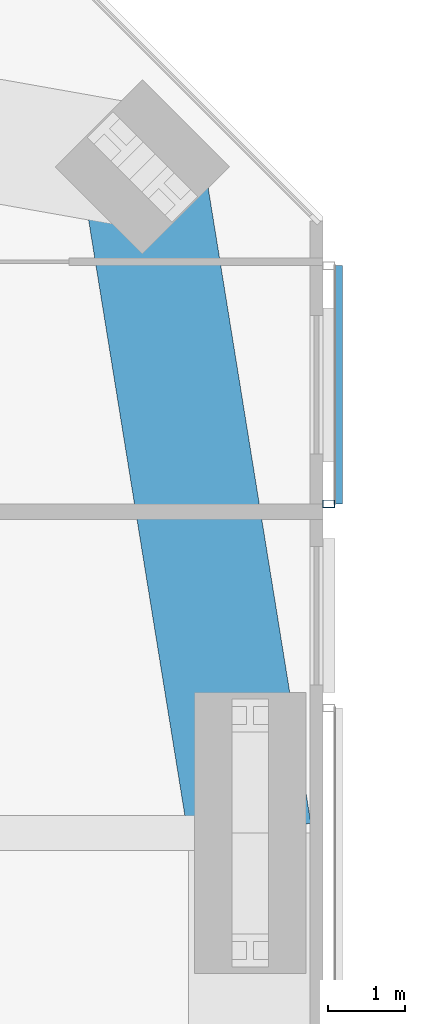
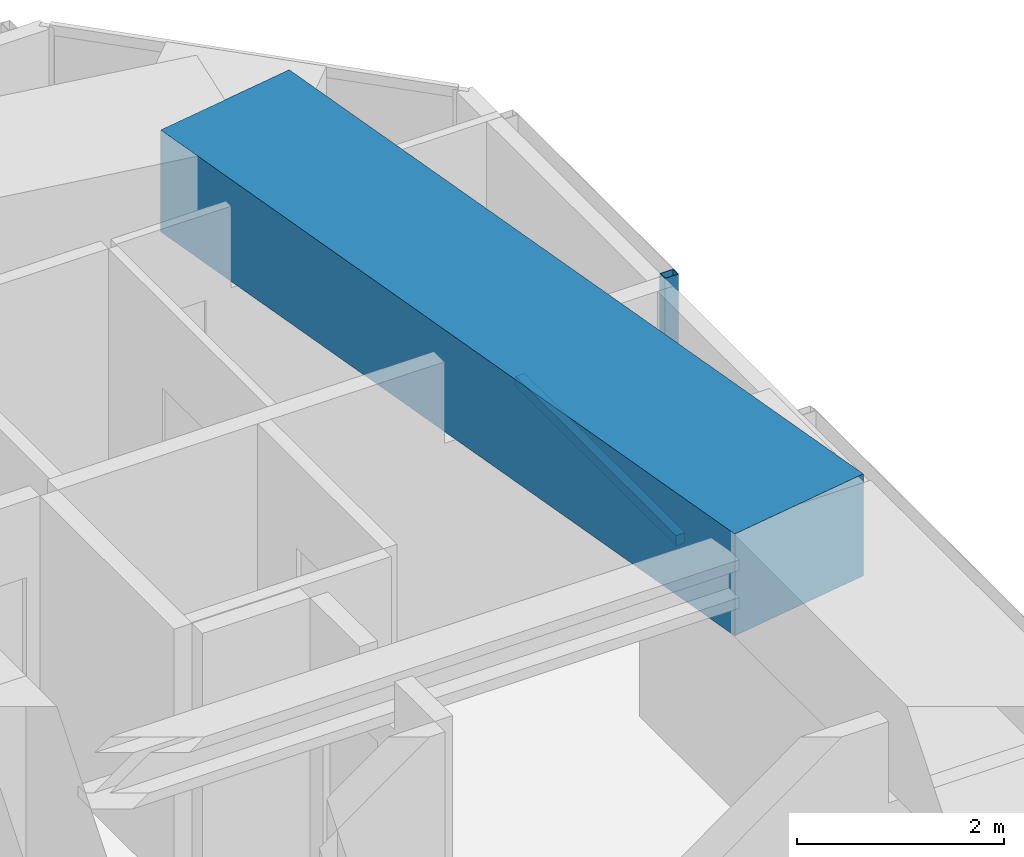
# One storey, part 10 of 23: 2 members, 1 beam, 1 element without a shape of its own.
"""IFC4 building model written with IfcOpenShell, lengths in metres."""

from ifc_helpers import new_model, si_unit, direction, frame, origin, origin_2d, place, context, subcontext, project, spatial, rectangle, hollow_rectangle, extrude, material, material_profile, profile_set, type_object, element, aggregate, save


model = new_model("IFC4")

# Units and contexts
model_context = context("Model", 3, precision=1e-05, world=origin(), true_north=direction((0.0, 1.0)))
body_context = subcontext(model_context, "Body", "Model", "MODEL_VIEW")
ifc_project = project(units=[si_unit("LENGTHUNIT", "METRE"), si_unit("AREAUNIT", "SQUARE_METRE"), si_unit("VOLUMEUNIT", "CUBIC_METRE"), si_unit("PLANEANGLEUNIT", "RADIAN"), si_unit("MASSUNIT", "GRAM", prefix="KILO")], contexts=[model_context])

# Site, building, storey
site_placement = place(None, origin())
site = spatial("IfcSite", under=ifc_project, at=site_placement, CompositionType="ELEMENT")
building_placement = place(site_placement, origin())
building = spatial("IfcBuilding", under=site, at=building_placement, Name="Jalousie Tower", CompositionType="ELEMENT")
storey_placement = place(building_placement, frame((0.0, 0.0, 187.85009765625)))
storey = spatial("IfcBuildingStorey", under=building, at=storey_placement, Name="L51", CompositionType="ELEMENT", Elevation=187.85009765625)

# Beam
ifc_material_1 = material(Name="Concrete f'c 40 MPa", Category="concrete")
ifc_material_profile_1 = material_profile(ifc_material_1, rectangle(XDim=1.60009765625, YDim=1.199951171875, at=origin_2d()), Name="RC 1600x1200")
ifc_profile_set_1 = profile_set([ifc_material_profile_1], Name="Concrete f'c 40 MPa")
beam_type = type_object("IfcBeamType", Name="RC BEAM 1600x1200", PredefinedType="BEAM", material=ifc_profile_set_1)
beam_placement = place(storey_placement, frame((52.050048828125, 25.0, 2.75), z_axis=(-0.159567878256, 0.987186959106, 0.0), x_axis=(-0.987186959106, -0.159567878256, 0.0)))
element("IfcBeam", 1, at=beam_placement, inside=storey, type_object=beam_type, Name="Edge band beam 07-08 under L52", PredefinedType="BEAM", context=body_context, shape_type="SweptSolid", body=[
    extrude(rectangle(XDim=1.60009765625, YDim=1.199951171875, at=origin_2d()), origin(), (0.0, 0.0, 1.0), 8.763916015625),
])

# Curtain wall, members
ifc_material_2 = material(Name="Perforated aluminium sheet", Category="aluminium")
curtain_wall_type = type_object("IfcCurtainWallType", Name="SOLAR SCREEN SS-1", PredefinedType="USERDEFINED", material=ifc_material_2)
curtain_wall_placement = place(storey_placement, origin())
curtain_wall = element("IfcCurtainWall", 2, at=curtain_wall_placement, inside=storey, type_object=curtain_wall_type, Name="Solar screen L51", ObjectType="SOLAR SCREEN SS-1", PredefinedType="USERDEFINED")
ifc_material_3 = material(Name="Steel ASTM A500 Grade C", Category="steel")
ifc_material_profile_2 = material_profile(ifc_material_3, hollow_rectangle(XDim=0.1015625, YDim=0.15234375, WallThickness=0.00634765625, at=origin_2d()), Name="HSS6X4X1/4")
ifc_profile_set_2 = profile_set([ifc_material_profile_2], Name="Steel ASTM A500 Grade C")
member_type_1 = type_object("IfcMemberType", Name="SOLAR SCREEN SS-1 MULLION", PredefinedType="MULLION", material=ifc_profile_set_2)
member_1_placement = place(storey_placement, frame((53.0712890625, 29.27490234375, -0.1201171875), z_axis=(0.0, 0.0, 1.0), x_axis=(0.0, 1.0, 0.0)))
member_1 = element("IfcMember", 3, at=member_1_placement, type_object=member_type_1, Name="SS1 post 1", PredefinedType="MULLION", context=body_context, shape_type="SweptSolid", body=[
    extrude(hollow_rectangle(XDim=0.1015625, YDim=0.15234375, WallThickness=0.00634765625, at=origin_2d()), origin(), (0.0, 0.0, 1.0), 3.22998046875),
])
ifc_material_4 = material(Name="Extruded aluminium screen rail", Category="aluminium")
ifc_material_profile_3 = material_profile(ifc_material_4, rectangle(XDim=0.1015625, YDim=0.1201171875, at=origin_2d()), Name="RAIL 102x120")
ifc_profile_set_3 = profile_set([ifc_material_profile_3], Name="Extruded aluminium screen rail")
member_type_2 = type_object("IfcMemberType", Name="SOLAR SCREEN SS-1 TRANSOM", PredefinedType="USERDEFINED", material=ifc_profile_set_3)
member_2_placement = place(storey_placement, frame((53.1982421875, 29.27490234375, -0.06005859375), z_axis=(0.0, 1.0, 0.0), x_axis=(-1.0, 0.0, 0.0)))
member_2 = element("IfcMember", 4, at=member_2_placement, type_object=member_type_2, Name="SS1 rail", ObjectType="TRANSOM", PredefinedType="USERDEFINED", context=body_context, shape_type="SweptSolid", body=[
    extrude(rectangle(XDim=0.1015625, YDim=0.1201171875, at=origin_2d()), origin(), (0.0, 0.0, 1.0), 3.09521484375),
])
aggregate(curtain_wall, [member_1, member_2])

save(model, "model.ifc")
